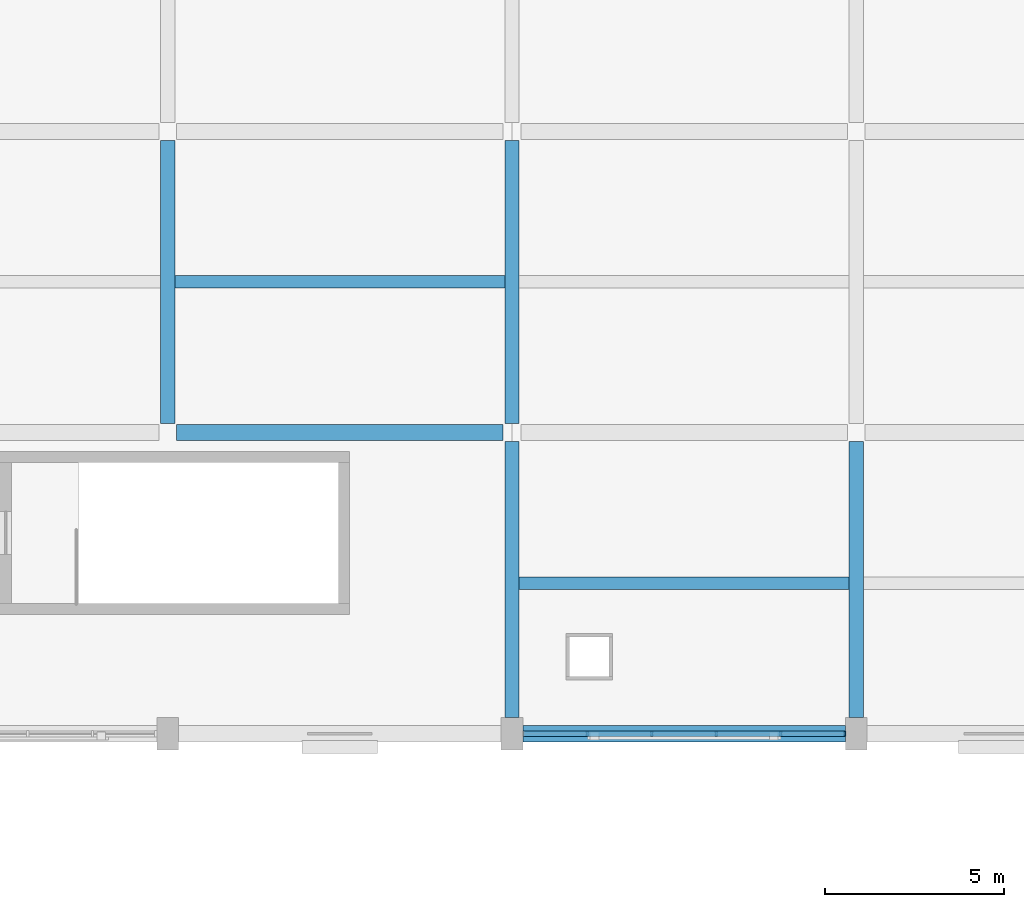
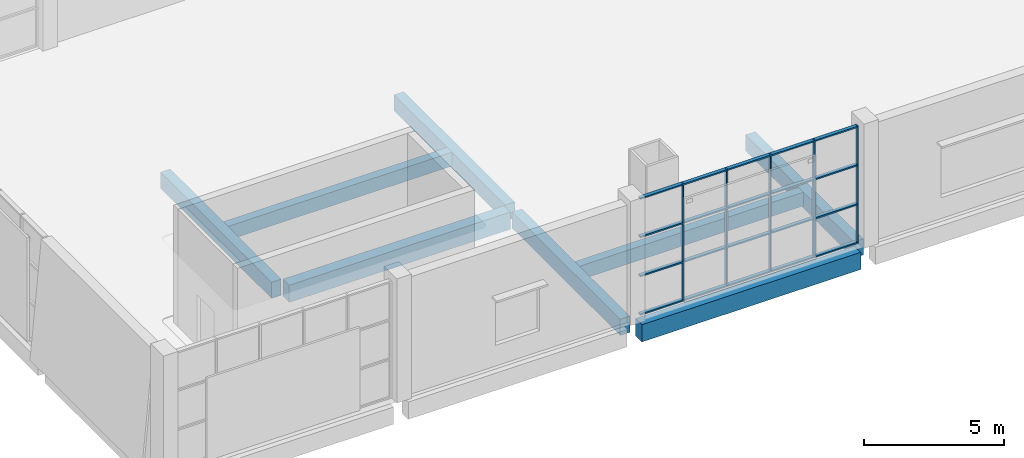
# One storey, part 17 of 57: 9 members, 8 beams, 1 element without a shape of its own.
"""IFC4 building model written with IfcOpenShell, lengths in metres."""

import ifcopenshell
import ifcopenshell.guid

model = None  # the IFC model being written
_history = None  # IfcOwnerHistory: only IFC2X3 demands one
_inside = {}  # id of a spatial element -> (the spatial element, [elements in it])
_under = {}  # id of a project, library or spatial element -> (it, [spatial elements below it])
_declared = {}  # id of a project -> (the project, [libraries it declares])
_typed = {}  # id of a type object -> (the type object, [elements of that type])
_made_of = {}  # id of a material, layer set ... -> (it, [elements and type objects made of it])


def new_model(schema):
    """Start an empty IFC model of exactly this schema.

    Asked for "IFC4X3", IfcOpenShell would pick the latest addendum, in which some entities
    have other attributes; the version numbers below select the first issue.
    IFC2X3 requires an IfcOwnerHistory on every rooted entity: one is made here for all.
    """
    global model, _history
    if schema == "IFC4X3":
        model = ifcopenshell.file(schema_version=(4, 3, 0, 0))
    else:
        model = ifcopenshell.file(schema=schema)
    _inside.clear()
    _under.clear()
    _declared.clear()
    _typed.clear()
    _made_of.clear()
    _history = None
    if model.schema == "IFC2X3":
        org = make("IfcOrganization", Name="unknown")
        user = make(
            "IfcPersonAndOrganization",
            ThePerson=make("IfcPerson", FamilyName="unknown"),
            TheOrganization=org,
        )
        app = make(
            "IfcApplication",
            ApplicationDeveloper=org,
            Version="unknown",
            ApplicationFullName="unknown",
            ApplicationIdentifier="unknown",
        )
        _history = make(
            "IfcOwnerHistory",
            OwningUser=user,
            OwningApplication=app,
            ChangeAction="ADDED",
            CreationDate=0,
        )
    return model


def make(cls, **values):
    """One entity of the class cls with the attributes given. An attribute that is None is left unset."""
    return model.create_entity(
        cls, **{name: value for name, value in values.items() if value is not None}
    )


def rooted(cls, **values):
    """An entity with a GlobalId (a new one), such as an element, a storey or a relation."""
    return make(cls, GlobalId=ifcopenshell.guid.new(), OwnerHistory=_history, **values)


def si_unit(unit_type, name, prefix=None):
    """IfcSIUnit, for example si_unit("LENGTHUNIT", "METRE", prefix="MILLI")."""
    return make("IfcSIUnit", UnitType=unit_type, Prefix=prefix, Name=name)


def assignment(units):
    """IfcUnitAssignment: the units of a project."""
    return None if units is None else make("IfcUnitAssignment", Units=units)


def point(xyz):
    """IfcCartesianPoint."""
    return None if xyz is None else make("IfcCartesianPoint", Coordinates=xyz)


def direction(xyz):
    """IfcDirection."""
    return None if xyz is None else make("IfcDirection", DirectionRatios=xyz)


def frame(location, z_axis=None, x_axis=None):
    """IfcAxis2Placement3D, a coordinate frame: its origin and axes. An axis left out is left unset."""
    return make(
        "IfcAxis2Placement3D",
        Location=point(location),
        Axis=direction(z_axis),
        RefDirection=direction(x_axis),
    )


def frame_2d(location, x_axis=None):
    """IfcAxis2Placement2D, a coordinate frame in the plane: its origin and x axis."""
    return make(
        "IfcAxis2Placement2D", Location=point(location), RefDirection=direction(x_axis)
    )


def origin():
    """The frame at (0, 0, 0) with its axes left unset."""
    return frame((0.0, 0.0, 0.0))


def origin_2d():
    """The frame at (0, 0) in the plane with its x axis left unset."""
    return frame_2d((0.0, 0.0))


def place(relative_to, where):
    """IfcLocalPlacement: puts the frame where relative to a parent placement (None: the world)."""
    return make(
        "IfcLocalPlacement", PlacementRelTo=relative_to, RelativePlacement=where
    )


def context(
    kind, dimensions, precision=None, world=None, true_north=None, identifier=None
):
    """IfcGeometricRepresentationContext, for example the 3D "Model" context."""
    return make(
        "IfcGeometricRepresentationContext",
        ContextIdentifier=identifier,
        ContextType=kind,
        CoordinateSpaceDimension=dimensions,
        Precision=precision,
        WorldCoordinateSystem=world,
        TrueNorth=true_north,
    )


def subcontext(parent, identifier, kind, view, scale=None):
    """IfcGeometricRepresentationSubContext, for example "Body" below "Model"."""
    return make(
        "IfcGeometricRepresentationSubContext",
        ContextIdentifier=identifier,
        ContextType=kind,
        ParentContext=parent,
        TargetScale=scale,
        TargetView=view,
    )


def project(units=None, contexts=None):
    """IfcProject with its units and contexts."""
    return rooted(
        "IfcProject",
        Name="project",
        RepresentationContexts=contexts,
        UnitsInContext=assignment(units),
    )


def spatial(cls, under=None, at=None, **own):
    """A site, building, storey or space (cls), placed at a placement, below another one or the project."""
    s = rooted(cls, ObjectPlacement=at, **own)
    if under is not None:
        _under.setdefault(under.id(), (under, []))[1].append(s)
    return s


def profile(cls, at=None, kind="AREA", **sizes):
    """A parametric profile (cls). Its sizes go by their IFC names, for example OverallWidth=200.0."""
    return make(cls, ProfileType=kind, Position=at, **sizes)


def rectangle(**sizes):
    """IfcRectangleProfileDef."""
    return profile("IfcRectangleProfileDef", **sizes)


def extrude(swept, where, along, depth):
    """IfcExtrudedAreaSolid: the profile swept, set in the frame where, extruded along a direction by depth."""
    return make(
        "IfcExtrudedAreaSolid",
        SweptArea=swept,
        Position=where,
        ExtrudedDirection=direction(along),
        Depth=depth,
    )


def shape(context_of_items, identifier, shape_type, items):
    """IfcShapeRepresentation: the items that make up one representation, for example the "Body"."""
    return make(
        "IfcShapeRepresentation",
        ContextOfItems=context_of_items,
        RepresentationIdentifier=identifier,
        RepresentationType=shape_type,
        Items=items,
    )


def material(Name=None, Category=None):
    """IfcMaterial."""
    return make("IfcMaterial", Name=Name, Category=Category)


def material_profile(
    of_material, cross_section, Name=None, Category=None, Priority=None
):
    """IfcMaterialProfile: a cross section and its material."""
    return make(
        "IfcMaterialProfile",
        Name=Name,
        Material=of_material,
        Profile=cross_section,
        Priority=Priority,
        Category=Category,
    )


def profile_set(profiles, Name=None, composite=None):
    """IfcMaterialProfileSet."""
    return make(
        "IfcMaterialProfileSet",
        Name=Name,
        MaterialProfiles=profiles,
        CompositeProfile=composite,
    )


def made_of(thing, what):
    """Note that an element or type object is made of a material, layer set ...; save() writes the relation."""
    if what is not None:
        _made_of.setdefault(what.id(), (what, []))[1].append(thing)
    return thing


def type_object(cls, material=None, **own):
    """A type object (cls), such as IfcWallType, which elements share."""
    return made_of(rooted(cls, **own), material)


def element(
    cls,
    number,
    at=None,
    inside=None,
    cuts=None,
    type_object=None,
    material=None,
    context=None,
    identifier="Body",
    shape_type=None,
    held_by="IfcProductDefinitionShape",
    body=None,
    shapes=None,
    **own,
):
    """One element of the class cls, such as IfcWall. Its Tag is "e" and its number.

    at: its placement. inside: the storey or other place that contains it. cuts: it is an
    opening in that element (IfcRelVoidsElement). A single representation is given by context,
    identifier, shape_type and body (its items); several are given by shapes. held_by: the class
    of the entity that holds the representations. save() writes the other relations.
    """
    e = rooted(cls, Tag="e%d" % number, ObjectPlacement=at, **own)
    if body is not None:
        shapes = [shape(context, identifier, shape_type, body)]
    if shapes is not None:
        e.Representation = make(held_by, Representations=shapes)
    if inside is not None:
        _inside.setdefault(inside.id(), (inside, []))[1].append(e)
    if cuts is not None:
        rooted(
            "IfcRelVoidsElement", RelatingBuildingElement=cuts, RelatedOpeningElement=e
        )
    if type_object is not None:
        _typed.setdefault(type_object.id(), (type_object, []))[1].append(e)
    return made_of(e, material)


def aggregate(whole, parts):
    """IfcRelAggregates: a whole, such as a stair, and the parts it consists of."""
    return rooted("IfcRelAggregates", RelatingObject=whole, RelatedObjects=parts)


def save(model, path):
    """Write the relations noted so far, then the file.

    IfcRelAggregates (storeys below a building ...), IfcRelContainedInSpatialStructure (elements
    in a storey), IfcRelDefinesByType, IfcRelAssociatesMaterial and IfcRelDeclares: one each for
    every whole, place, type object, material and project.
    """
    for whole, parts in _under.values():
        aggregate(whole, parts)
    for where, things in _inside.values():
        rooted(
            "IfcRelContainedInSpatialStructure",
            RelatedElements=things,
            RelatingStructure=where,
        )
    for kind, things in _typed.values():
        rooted("IfcRelDefinesByType", RelatedObjects=things, RelatingType=kind)
    for what, things in _made_of.values():
        rooted("IfcRelAssociatesMaterial", RelatedObjects=things, RelatingMaterial=what)
    for by, libraries in _declared.values():
        rooted("IfcRelDeclares", RelatingContext=by, RelatedDefinitions=libraries)
    model.write(path)


model = new_model("IFC4")

# Units and contexts
model_context = context("Model", 3, precision=1e-05, world=origin(), true_north=direction((0.0, 1.0)))
body_context = subcontext(model_context, "Body", "Model", "MODEL_VIEW")
ifc_project = project(units=[si_unit("LENGTHUNIT", "METRE"), si_unit("AREAUNIT", "SQUARE_METRE"), si_unit("VOLUMEUNIT", "CUBIC_METRE"), si_unit("PLANEANGLEUNIT", "RADIAN"), si_unit("MASSUNIT", "GRAM", prefix="KILO")], contexts=[model_context])

# Site, building, storey
site_placement = place(None, origin())
site = spatial("IfcSite", under=ifc_project, at=site_placement, CompositionType="ELEMENT")
building_placement = place(site_placement, origin())
building = spatial("IfcBuilding", under=site, at=building_placement, Name="Shalvenor Court Art Gallery", CompositionType="ELEMENT")
storey_placement = place(building_placement, frame((0.0, 0.0, 16.800048828125)))
storey = spatial("IfcBuildingStorey", under=building, at=storey_placement, Name="L03", CompositionType="ELEMENT", Elevation=16.800048828125)

# Beams
ifc_material_1 = material(Name="Concrete C40/50", Category="concrete")
ifc_material_profile_1 = material_profile(ifc_material_1, rectangle(XDim=0.449951171875, YDim=0.75, at=origin_2d()), Name="RC 450x750")
ifc_profile_set_1 = profile_set([ifc_material_profile_1], Name="Concrete C40/50")
beam_type_1 = type_object("IfcBeamType", Name="B-04", PredefinedType="BEAM", material=ifc_profile_set_1)
beam_1_placement = place(storey_placement, frame((77.10009765625, 97.199951171875, -0.675048828125), z_axis=(1.0, 0.0, 0.0), x_axis=(0.0, 1.0, 0.0)))
element("IfcBeam", 1, at=beam_1_placement, inside=storey, type_object=beam_type_1, Name="L03 Girder BM-L03-B-04-1095", PredefinedType="BEAM", context=body_context, shape_type="SweptSolid", body=[
    extrude(rectangle(XDim=0.449951171875, YDim=0.75, at=origin_2d()), origin(), (0.0, 0.0, 1.0), 9.0),
])
beam_2_placement = place(storey_placement, frame((67.449951171875, 105.60009765625, -0.675048828125), z_axis=(1.0, 0.0, 0.0), x_axis=(0.0, 1.0, 0.0)))
element("IfcBeam", 2, at=beam_2_placement, inside=storey, type_object=beam_type_1, Name="L03 Girder BM-L03-B-04-1108", PredefinedType="BEAM", context=body_context, shape_type="SweptSolid", body=[
    extrude(rectangle(XDim=0.449951171875, YDim=0.75, at=origin_2d()), origin(), (0.0, 0.0, 1.0), 9.10009765625),
])
ifc_material_2 = material(Name="Concrete C40/50", Category="concrete")
ifc_material_profile_2 = material_profile(ifc_material_2, rectangle(XDim=0.39990234375, YDim=0.699951171875, at=origin_2d()), Name="RC 400x700")
ifc_profile_set_2 = profile_set([ifc_material_profile_2], Name="Concrete C40/50")
beam_type_2 = type_object("IfcBeamType", Name="B-05", PredefinedType="BEAM", material=ifc_profile_set_2)
beam_3_placement = place(storey_placement, frame((67.199951171875, 105.85009765625, -0.650146484375), z_axis=(0.0, 1.0, 0.0), x_axis=(-1.0, 0.0, 0.0)))
element("IfcBeam", 3, at=beam_3_placement, inside=storey, type_object=beam_type_2, Name="L03 Girder BM-L03-B-05-0981", PredefinedType="BEAM", context=body_context, shape_type="SweptSolid", body=[
    extrude(rectangle(XDim=0.39990234375, YDim=0.699951171875, at=origin_2d()), origin(), (0.0, 0.0, 1.0), 7.89990234375),
])
beam_4_placement = place(storey_placement, frame((76.800048828125, 97.64990234375, -0.650146484375), z_axis=(0.0, 1.0, 0.0), x_axis=(-1.0, 0.0, 0.0)))
element("IfcBeam", 4, at=beam_4_placement, inside=storey, type_object=beam_type_2, Name="L03 Girder BM-L03-B-05-0983", PredefinedType="BEAM", context=body_context, shape_type="SweptSolid", body=[
    extrude(rectangle(XDim=0.39990234375, YDim=0.699951171875, at=origin_2d()), origin(), (0.0, 0.0, 1.0), 7.7001953125),
])
beam_5_placement = place(storey_placement, frame((76.800048828125, 105.85009765625, -0.650146484375), z_axis=(0.0, 1.0, 0.0), x_axis=(-1.0, 0.0, 0.0)))
element("IfcBeam", 5, at=beam_5_placement, inside=storey, type_object=beam_type_2, Name="L03 Girder BM-L03-B-05-0984", PredefinedType="BEAM", context=body_context, shape_type="SweptSolid", body=[
    extrude(rectangle(XDim=0.39990234375, YDim=0.699951171875, at=origin_2d()), origin(), (0.0, 0.0, 1.0), 7.89990234375),
])
beam_6_placement = place(storey_placement, frame((86.39990234375, 97.64990234375, -0.650146484375), z_axis=(0.0, 1.0, 0.0), x_axis=(-1.0, 0.0, 0.0)))
element("IfcBeam", 6, at=beam_6_placement, inside=storey, type_object=beam_type_2, Name="L03 Girder BM-L03-B-05-0986", PredefinedType="BEAM", context=body_context, shape_type="SweptSolid", body=[
    extrude(rectangle(XDim=0.39990234375, YDim=0.699951171875, at=origin_2d()), origin(), (0.0, 0.0, 1.0), 7.7001953125),
])

# Curtain wall, members
ifc_material_3 = material(Name="Anodised aluminium and low-iron glass curtain wall", Category="aluminium")
curtain_wall_type = type_object("IfcCurtainWallType", Name="CW-5x3-90-51-612", PredefinedType="USERDEFINED", material=ifc_material_3)
curtain_wall_placement = place(storey_placement, origin())
curtain_wall = element("IfcCurtainWall", 7, at=curtain_wall_placement, inside=storey, type_object=curtain_wall_type, Name="L03 V2 Curtain Wall CW-L03-087", ObjectType="CURTAIN WALL", PredefinedType="USERDEFINED")
ifc_material_4 = material(Name="Anodised aluminium mullion", Category="aluminium")
ifc_material_profile_3 = material_profile(ifc_material_4, rectangle(XDim=0.054931640625, YDim=0.139892578125, at=origin_2d()), Name="CWM-06")
ifc_profile_set_3 = profile_set([ifc_material_profile_3], Name="Anodised aluminium mullion")
member_type_1 = type_object("IfcMemberType", Name="CWM-06", PredefinedType="MULLION", material=ifc_profile_set_3)
member_1_placement = place(storey_placement, frame((86.072509765625, 97.199951171875, 0.0), z_axis=(0.0, 0.0, 1.0), x_axis=(-1.0, 0.0, 0.0)))
member_1 = element("IfcMember", 8, at=member_1_placement, type_object=member_type_1, Name="CW-5x3-90-51-612 mullion 1", PredefinedType="MULLION", context=body_context, shape_type="SweptSolid", body=[
    extrude(rectangle(XDim=0.054931640625, YDim=0.139892578125, at=origin_2d()), origin(), (0.0, 0.0, 1.0), 5.099853515625),
])
member_2_placement = place(storey_placement, frame((84.300048828125, 97.199951171875, 0.0), z_axis=(0.0, 0.0, 1.0), x_axis=(-1.0, 0.0, 0.0)))
member_2 = element("IfcMember", 9, at=member_2_placement, type_object=member_type_1, Name="CW-5x3-90-51-612 mullion 2", PredefinedType="MULLION", context=body_context, shape_type="SweptSolid", body=[
    extrude(rectangle(XDim=0.054931640625, YDim=0.139892578125, at=origin_2d()), origin(), (0.0, 0.0, 1.0), 5.099853515625),
])
member_3_placement = place(storey_placement, frame((82.5, 97.199951171875, 0.0), z_axis=(0.0, 0.0, 1.0), x_axis=(-1.0, 0.0, 0.0)))
member_3 = element("IfcMember", 10, at=member_3_placement, type_object=member_type_1, Name="CW-5x3-90-51-612 mullion 3", PredefinedType="MULLION", context=body_context, shape_type="SweptSolid", body=[
    extrude(rectangle(XDim=0.054931640625, YDim=0.139892578125, at=origin_2d()), origin(), (0.0, 0.0, 1.0), 5.099853515625),
])
member_4_placement = place(storey_placement, frame((80.699951171875, 97.199951171875, 0.0), z_axis=(0.0, 0.0, 1.0), x_axis=(-1.0, 0.0, 0.0)))
member_4 = element("IfcMember", 11, at=member_4_placement, type_object=member_type_1, Name="CW-5x3-90-51-612 mullion 4", PredefinedType="MULLION", context=body_context, shape_type="SweptSolid", body=[
    extrude(rectangle(XDim=0.054931640625, YDim=0.139892578125, at=origin_2d()), origin(), (0.0, 0.0, 1.0), 5.099853515625),
])
member_5_placement = place(storey_placement, frame((78.89990234375, 97.199951171875, 0.0), z_axis=(0.0, 0.0, 1.0), x_axis=(-1.0, 0.0, 0.0)))
member_5 = element("IfcMember", 12, at=member_5_placement, type_object=member_type_1, Name="CW-5x3-90-51-612 mullion 5", PredefinedType="MULLION", context=body_context, shape_type="SweptSolid", body=[
    extrude(rectangle(XDim=0.054931640625, YDim=0.139892578125, at=origin_2d()), origin(), (0.0, 0.0, 1.0), 5.099853515625),
])
ifc_material_5 = material(Name="Anodised aluminium transom", Category="aluminium")
ifc_material_profile_4 = material_profile(ifc_material_5, rectangle(XDim=0.14990234375, YDim=0.06005859375, at=origin_2d()), Name="CWT-01")
ifc_profile_set_4 = profile_set([ifc_material_profile_4], Name="Anodised aluminium transom")
member_type_2 = type_object("IfcMemberType", Name="CWT-01", PredefinedType="USERDEFINED", material=ifc_profile_set_4)
member_6_placement = place(storey_placement, frame((86.072509765625, 97.199951171875, 0.030029296875), z_axis=(-1.0, 0.0, 0.0), x_axis=(0.0, -1.0, 0.0)))
member_6 = element("IfcMember", 13, at=member_6_placement, type_object=member_type_2, Name="CW-5x3-90-51-612 transom 1", ObjectType="TRANSOM", PredefinedType="USERDEFINED", context=body_context, shape_type="SweptSolid", body=[
    extrude(rectangle(XDim=0.14990234375, YDim=0.06005859375, at=origin_2d()), origin(), (0.0, 0.0, 1.0), 8.945068359375),
])
member_7_placement = place(storey_placement, frame((86.072509765625, 97.199951171875, 1.699951171875), z_axis=(-1.0, 0.0, 0.0), x_axis=(0.0, -1.0, 0.0)))
member_7 = element("IfcMember", 14, at=member_7_placement, type_object=member_type_2, Name="CW-5x3-90-51-612 transom 2", ObjectType="TRANSOM", PredefinedType="USERDEFINED", context=body_context, shape_type="SweptSolid", body=[
    extrude(rectangle(XDim=0.14990234375, YDim=0.06005859375, at=origin_2d()), origin(), (0.0, 0.0, 1.0), 8.945068359375),
])
member_8_placement = place(storey_placement, frame((86.072509765625, 97.199951171875, 3.39990234375), z_axis=(-1.0, 0.0, 0.0), x_axis=(0.0, -1.0, 0.0)))
member_8 = element("IfcMember", 15, at=member_8_placement, type_object=member_type_2, Name="CW-5x3-90-51-612 transom 3", ObjectType="TRANSOM", PredefinedType="USERDEFINED", context=body_context, shape_type="SweptSolid", body=[
    extrude(rectangle(XDim=0.14990234375, YDim=0.06005859375, at=origin_2d()), origin(), (0.0, 0.0, 1.0), 8.945068359375),
])
member_9_placement = place(storey_placement, frame((86.072509765625, 97.199951171875, 5.070068359375), z_axis=(-1.0, 0.0, 0.0), x_axis=(0.0, -1.0, 0.0)))
member_9 = element("IfcMember", 16, at=member_9_placement, type_object=member_type_2, Name="CW-5x3-90-51-612 transom 4", ObjectType="TRANSOM", PredefinedType="USERDEFINED", context=body_context, shape_type="SweptSolid", body=[
    extrude(rectangle(XDim=0.14990234375, YDim=0.06005859375, at=origin_2d()), origin(), (0.0, 0.0, 1.0), 8.945068359375),
])
aggregate(curtain_wall, [member_1, member_2, member_3, member_4, member_5, member_6, member_7, member_8, member_9])

# Beams
ifc_material_6 = material(Name="Concrete C40/50", Category="concrete")
ifc_material_profile_5 = material_profile(ifc_material_6, rectangle(XDim=0.35009765625, YDim=0.60009765625, at=origin_2d()), Name="RC 350x600")
ifc_profile_set_5 = profile_set([ifc_material_profile_5], Name="Concrete C40/50")
beam_type_3 = type_object("IfcBeamType", Name="J-01", PredefinedType="JOIST", material=ifc_profile_set_5)
beam_7_placement = place(storey_placement, frame((67.39990234375, 109.800048828125, -0.60009765625), z_axis=(1.0, 0.0, 0.0), x_axis=(0.0, 1.0, 0.0)))
element("IfcBeam", 17, at=beam_7_placement, inside=storey, type_object=beam_type_3, Name="L03 Secondary Beam JST-L03-J-01-1134", PredefinedType="JOIST", context=body_context, shape_type="SweptSolid", body=[
    extrude(rectangle(XDim=0.35009765625, YDim=0.60009765625, at=origin_2d()), origin(), (0.0, 0.0, 1.0), 9.2001953125),
])
beam_8_placement = place(storey_placement, frame((77.0, 101.39990234375, -0.60009765625), z_axis=(1.0, 0.0, 0.0), x_axis=(0.0, 1.0, 0.0)))
element("IfcBeam", 18, at=beam_8_placement, inside=storey, type_object=beam_type_3, Name="L03 Secondary Beam JST-L03-J-01-1136", PredefinedType="JOIST", context=body_context, shape_type="SweptSolid", body=[
    extrude(rectangle(XDim=0.35009765625, YDim=0.60009765625, at=origin_2d()), origin(), (0.0, 0.0, 1.0), 9.199951171875),
])

save(model, "model.ifc")
